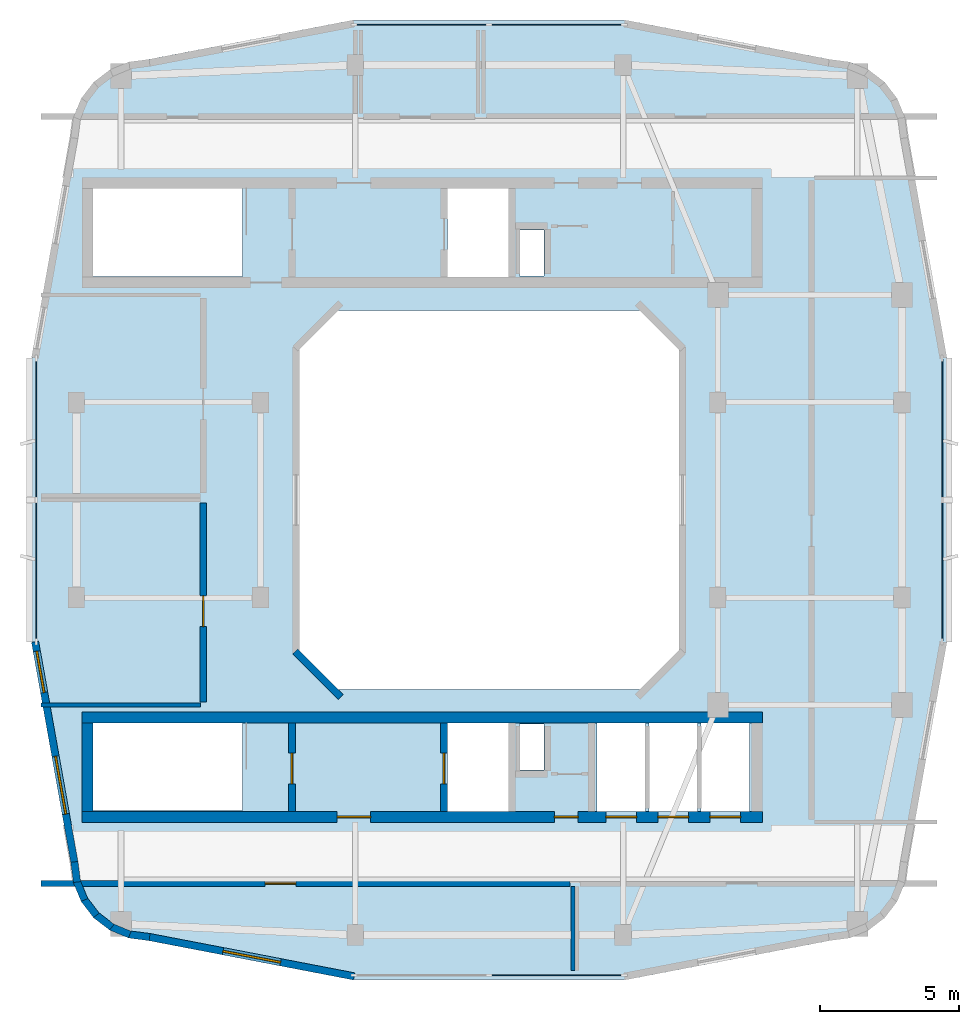
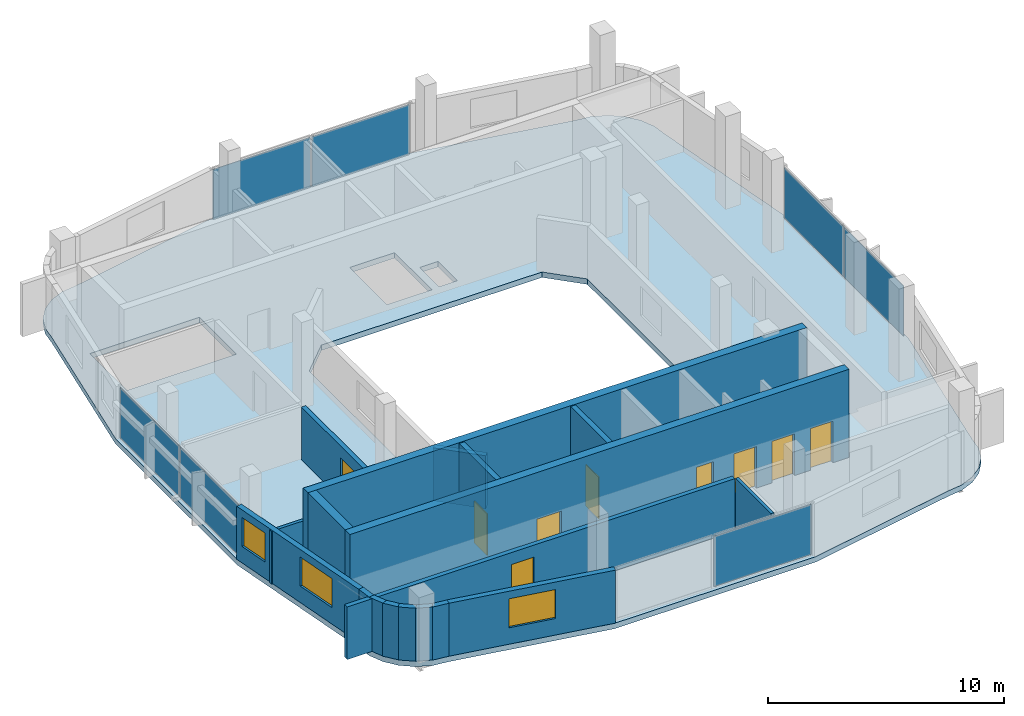
# One storey, part 3 of 6: 18 walls, 9 doors, 7 plates, 3 windows, 1 slab, 12 openings, 4 elements without a shape of their own.
"""IFC4 building model written with IfcOpenShell, lengths in metres."""

from ifc_helpers import new_model, si_unit, derived_unit, direction, frame, frame_2d, origin, origin_2d, place, context, subcontext, project, spatial, polyline, rectangle, outline, extrude, material, layer, layer_set, type_object, element, fill, aggregate, save


model = new_model("IFC4")

# Units and contexts
model_context = context("Model", 3, precision=1e-05, world=origin(), true_north=direction((0.0, 1.0)))
body_context = subcontext(model_context, "Body", "Model", "MODEL_VIEW")
ifc_project = project(units=[si_unit("LENGTHUNIT", "METRE"), si_unit("AREAUNIT", "SQUARE_METRE"), si_unit("VOLUMEUNIT", "CUBIC_METRE"), si_unit("PLANEANGLEUNIT", "RADIAN"), si_unit("MASSUNIT", "GRAM", prefix="KILO"), derived_unit("THERMALTRANSMITTANCEUNIT", [(si_unit("POWERUNIT", "WATT"), 1), (si_unit("LENGTHUNIT", "METRE"), -2), (si_unit("THERMODYNAMICTEMPERATUREUNIT", "KELVIN"), -1)])], contexts=[model_context])

# Site, building, storey
site_placement = place(None, origin())
site = spatial("IfcSite", under=ifc_project, at=site_placement, CompositionType="ELEMENT")
building_placement = place(site_placement, origin())
building = spatial("IfcBuilding", under=site, at=building_placement, Name="Kivonza Crest Hotel", CompositionType="ELEMENT")
storey_placement = place(building_placement, frame((0.0, 0.0, 272.0)))
storey = spatial("IfcBuildingStorey", under=building, at=storey_placement, Name="L74", CompositionType="ELEMENT", Elevation=272.0)

# Curtain wall, plate
ifc_material_1 = material(Name="Anodised bronze aluminium and low-E double glazing", Category="aluminium")
ifc_layer_1 = layer(ifc_material_1, 0.199951171875)
ifc_layer_set_1 = layer_set([ifc_layer_1], Name="Anodised bronze aluminium and low-E double glazing")
curtain_wall_type = type_object("IfcCurtainWallType", Name="CW-SYS-6", PredefinedType="NOTDEFINED", material=ifc_layer_set_1)
curtain_wall_1_placement = place(storey_placement, origin())
curtain_wall_1 = element("IfcCurtainWall", 1, at=curtain_wall_1_placement, inside=storey, type_object=curtain_wall_type, Name="L74 unitised curtain wall CW-T1-L74-08", PredefinedType="NOTDEFINED")
ifc_material_2 = material(Name="Acoustic triple-laminated low-E glazing", Category="glass")
ifc_layer_2 = layer(ifc_material_2, 0.035888671875)
ifc_layer_set_2 = layer_set([ifc_layer_2], Name="Acoustic triple-laminated low-E glazing")
plate_type = type_object("IfcPlateType", Name="CW-PNL-36", PredefinedType="CURTAIN_PANEL", material=ifc_layer_set_2)
plate_1_placement = place(storey_placement, frame((23.421142578125, 7.9599609375, 0.0751953125), z_axis=(0.0, 0.0, 1.0), x_axis=(1.0, 0.0, 0.0)))
plate_1 = element("IfcPlate", 2, at=plate_1_placement, type_object=plate_type, Name="CW-6 panel 2.1", PredefinedType="CURTAIN_PANEL", context=body_context, shape_type="SweptSolid", body=[
    extrude(rectangle(XDim=4.767578125, YDim=0.035888671875, at=origin_2d()), origin(), (0.0, 0.0, 1.0), 2.590087890625),
])
aggregate(curtain_wall_1, [plate_1])

# Curtain wall, plates
curtain_wall_2_placement = place(storey_placement, origin())
curtain_wall_2 = element("IfcCurtainWall", 3, at=curtain_wall_2_placement, inside=storey, type_object=curtain_wall_type, Name="L74 unitised curtain wall CW-T1-L74-17", PredefinedType="NOTDEFINED")
plate_2_placement = place(storey_placement, frame((37.239990234375, 22.458740234375, 0.0751953125), z_axis=(0.0, 0.0, 1.0), x_axis=(0.0, 1.0, 0.0)))
plate_2 = element("IfcPlate", 4, at=plate_2_placement, type_object=plate_type, Name="CW-6 panel 1.1", PredefinedType="CURTAIN_PANEL", context=body_context, shape_type="SweptSolid", body=[
    extrude(rectangle(XDim=5.007568359375, YDim=0.035888671875, at=origin_2d()), origin(), (0.0, 0.0, 1.0), 2.590087890625),
])
plate_3_placement = place(storey_placement, frame((37.239990234375, 27.541259765625, 0.0751953125), z_axis=(0.0, 0.0, 1.0), x_axis=(0.0, 1.0, 0.0)))
plate_3 = element("IfcPlate", 5, at=plate_3_placement, type_object=plate_type, Name="CW-6 panel 2.1", PredefinedType="CURTAIN_PANEL", context=body_context, shape_type="SweptSolid", body=[
    extrude(rectangle(XDim=5.007568359375, YDim=0.035888671875, at=origin_2d()), origin(), (0.0, 0.0, 1.0), 2.590087890625),
])
aggregate(curtain_wall_2, [plate_2, plate_3])

curtain_wall_3_placement = place(storey_placement, origin())
curtain_wall_3 = element("IfcCurtainWall", 6, at=curtain_wall_3_placement, inside=storey, type_object=curtain_wall_type, Name="L74 unitised curtain wall CW-T1-L74-26", PredefinedType="NOTDEFINED")
plate_4_placement = place(storey_placement, frame((23.421142578125, 42.0400390625, 0.0751953125), z_axis=(0.0, 0.0, 1.0), x_axis=(-1.0, 0.0, 0.0)))
plate_4 = element("IfcPlate", 7, at=plate_4_placement, type_object=plate_type, Name="CW-6 panel 1.1", PredefinedType="CURTAIN_PANEL", context=body_context, shape_type="SweptSolid", body=[
    extrude(rectangle(XDim=4.767578125, YDim=0.035888671875, at=origin_2d()), origin(), (0.0, 0.0, 1.0), 2.590087890625),
])
plate_5_placement = place(storey_placement, frame((18.578857421875, 42.0400390625, 0.0751953125), z_axis=(0.0, 0.0, 1.0), x_axis=(-1.0, 0.0, 0.0)))
plate_5 = element("IfcPlate", 8, at=plate_5_placement, type_object=plate_type, Name="CW-6 panel 2.1", PredefinedType="CURTAIN_PANEL", context=body_context, shape_type="SweptSolid", body=[
    extrude(rectangle(XDim=4.767578125, YDim=0.035888671875, at=origin_2d()), origin(), (0.0, 0.0, 1.0), 2.590087890625),
])
aggregate(curtain_wall_3, [plate_4, plate_5])

curtain_wall_4_placement = place(storey_placement, origin())
curtain_wall_4 = element("IfcCurtainWall", 9, at=curtain_wall_4_placement, inside=storey, type_object=curtain_wall_type, Name="L74 unitised curtain wall CW-T1-L74-35", PredefinedType="NOTDEFINED")
plate_6_placement = place(storey_placement, frame((4.760009765625, 27.541259765625, 0.0751953125), z_axis=(0.0, 0.0, 1.0), x_axis=(0.0, -1.0, 0.0)))
plate_6 = element("IfcPlate", 10, at=plate_6_placement, type_object=plate_type, Name="CW-6 panel 1.1", PredefinedType="CURTAIN_PANEL", context=body_context, shape_type="SweptSolid", body=[
    extrude(rectangle(XDim=5.007568359375, YDim=0.035888671875, at=origin_2d()), origin(), (0.0, 0.0, 1.0), 2.590087890625),
])
plate_7_placement = place(storey_placement, frame((4.760009765625, 22.458740234375, 0.0751953125), z_axis=(0.0, 0.0, 1.0), x_axis=(0.0, -1.0, 0.0)))
plate_7 = element("IfcPlate", 11, at=plate_7_placement, type_object=plate_type, Name="CW-6 panel 2.1", PredefinedType="CURTAIN_PANEL", context=body_context, shape_type="SweptSolid", body=[
    extrude(rectangle(XDim=5.007568359375, YDim=0.035888671875, at=origin_2d()), origin(), (0.0, 0.0, 1.0), 2.590087890625),
])
aggregate(curtain_wall_4, [plate_6, plate_7])

# Slab
ifc_material_3 = material(Name="Concrete C40/50", Category="concrete")
ifc_layer_3 = layer(ifc_material_3, 0.280029296875)
ifc_layer_set_3 = layer_set([ifc_layer_3], Name="Concrete C40/50")
slab_type = type_object("IfcSlabType", Name="SL-HTL-280", PredefinedType="FLOOR", material=ifc_layer_set_3)
slab_placement = place(storey_placement, frame((0.0, 0.0, -0.280029296875)))
element("IfcSlab", 12, at=slab_placement, inside=storey, type_object=slab_type, Name="Tower T1 L74 floor slab", PredefinedType="FLOOR", context=body_context, shape_type="SweptSolid", body=[
    extrude(outline(polyline([(6.0, 12.0), (6.094970703125, 11.27490234375), (6.375, 10.60009765625), (6.820068359375, 10.02001953125), (7.39990234375, 9.574951171875), (8.074951171875, 9.294921875), (8.800048828125, 9.199951171875), (16.080078125, 7.800048828125), (25.919921875, 7.800048828125), (33.199951171875, 9.199951171875), (33.925048828125, 9.294921875), (34.60009765625, 9.574951171875), (35.179931640625, 10.02001953125), (35.625, 10.60009765625), (35.905029296875, 11.27490234375), (36.0, 12.0), (37.39990234375, 19.840087890625), (37.39990234375, 30.159912109375), (36.0, 38.0), (35.905029296875, 38.72509765625), (35.625, 39.39990234375), (35.179931640625, 39.97998046875), (34.60009765625, 40.425048828125), (33.925048828125, 40.705078125), (33.199951171875, 40.800048828125), (25.919921875, 42.199951171875), (16.080078125, 42.199951171875), (8.800048828125, 40.800048828125), (8.074951171875, 40.705078125), (7.39990234375, 40.425048828125), (6.820068359375, 39.97998046875), (6.375, 39.39990234375), (6.094970703125, 38.72509765625), (6.0, 38.0), (4.60009765625, 30.159912109375), (4.60009765625, 19.840087890625), (6.0, 12.0)]), holes=[polyline([(15.60009765625, 18.199951171875), (26.39990234375, 18.199951171875), (27.800048828125, 19.60009765625), (27.800048828125, 30.39990234375), (26.39990234375, 31.800048828125), (15.60009765625, 31.800048828125), (14.199951171875, 30.39990234375), (14.199951171875, 19.60009765625), (15.60009765625, 18.199951171875)]), polyline([(6.800048828125, 33.02001953125), (12.159912109375, 33.02001953125), (12.159912109375, 36.159912109375), (6.800048828125, 36.159912109375), (6.800048828125, 33.02001953125)]), polyline([(6.800048828125, 13.860107421875), (12.159912109375, 13.860107421875), (12.159912109375, 17.0), (6.800048828125, 17.0), (6.800048828125, 13.860107421875)]), polyline([(22.080078125, 33.0400390625), (22.969970703125, 33.0400390625), (22.969970703125, 34.679931640625), (22.080078125, 34.679931640625), (22.080078125, 33.0400390625)]), polyline([(22.080078125, 15.320068359375), (22.969970703125, 15.320068359375), (22.969970703125, 16.9599609375), (22.080078125, 16.9599609375), (22.080078125, 15.320068359375)]), polyline([(19.5, 33.0), (21.699951171875, 33.0), (21.699951171875, 36.159912109375), (19.5, 36.159912109375), (19.5, 33.0)]), polyline([(19.5, 13.840087890625), (21.699951171875, 13.840087890625), (21.699951171875, 17.0), (19.5, 17.0), (19.5, 13.840087890625)]), polyline([(24.860107421875, 13.840087890625), (26.60693359375, 13.840087890625), (26.60693359375, 17.0), (24.860107421875, 17.0), (24.860107421875, 13.840087890625)]), polyline([(26.72705078125, 13.840087890625), (28.472900390625, 13.840087890625), (28.472900390625, 17.0), (26.72705078125, 17.0), (26.72705078125, 13.840087890625)]), polyline([(28.593017578125, 13.840087890625), (30.340087890625, 13.840087890625), (30.340087890625, 17.0), (28.593017578125, 17.0), (28.593017578125, 13.840087890625)])]), origin(), (0.0, 0.0, 1.0), 0.280029296875),
])

# Wall, opening, door
ifc_material_4 = material(Name="Autoclaved aerated concrete blockwork", Category="masonry")
ifc_layer_4 = layer(ifc_material_4, 0.219970703125)
ifc_layer_set_4 = layer_set([ifc_layer_4], Name="Autoclaved aerated concrete blockwork")
wall_type_1 = type_object("IfcWallType", Name="WL-ACOU-220", PredefinedType="SOLIDWALL", material=ifc_layer_set_4)
wall_1_placement = place(storey_placement, frame((10.75, 17.75, 0.0), z_axis=(0.0, 0.0, 1.0), x_axis=(0.0, 1.0, 0.0)))
wall_1 = element("IfcWall", 13, at=wall_1_placement, inside=storey, type_object=wall_type_1, Name="L74 interior partition WA-L74-CRESTBRD-E", PredefinedType="SOLIDWALL", context=body_context, shape_type="SweptSolid", body=[
    extrude(rectangle(XDim=7.14990234375, YDim=0.219970703125, at=frame_2d((3.574951171875, 0.0))), origin(), (0.0, 0.0, 1.0), 2.719970703125),
])
opening_1_placement = place(wall_1_placement, frame((2.712890625, 0.0, 0.0)))
opening_1 = element("IfcOpeningElement", 14, at=opening_1_placement, cuts=wall_1, Name="Opening DF-60M", PredefinedType="OPENING", context=body_context, shape_type="SweptSolid", body=[
    extrude(rectangle(XDim=1.10009765625, YDim=2.10009765625, at=frame_2d((0.550048828125, 1.050048828125))), frame((0.0, 0.1201171875, 0.0), z_axis=(0.0, -1.0, 0.0), x_axis=(1.0, 0.0, 0.0)), (0.0, 0.0, 1.0), 0.239990234375),
])
ifc_material_5 = material(Name="Hardwood timber oak", Category="wood")
door_type_1 = type_object("IfcDoorType", Name="DR-FD60-1100", OperationType="NOTDEFINED", PredefinedType="DOOR", material=ifc_material_5)
door_1_placement = place(opening_1_placement, origin())
door_1 = element("IfcDoor", 15, at=door_1_placement, inside=storey, type_object=door_type_1, Name="L74 Presidential Crest Boardroom door", OperationType="SINGLE_SWING_RIGHT", OverallHeight=2.10009765625, OverallWidth=1.10009765625, PredefinedType="DOOR", context=body_context, shape_type="SweptSolid", body=[
    extrude(rectangle(XDim=1.10009765625, YDim=2.10009765625, at=frame_2d((0.550048828125, 1.050048828125))), frame((0.0, 0.02490234375, 0.0), z_axis=(0.0, -1.0, 0.0), x_axis=(1.0, 0.0, 0.0)), (0.0, 0.0, 1.0), 0.050048828125),
])
fill(opening_1, door_1)

wall_2_placement = place(storey_placement, frame((4.93994140625, 11.25, 0.0), z_axis=(0.0, 0.0, 1.0), x_axis=(1.0, 0.0, 0.0)))
wall_2 = element("IfcWall", 16, at=wall_2_placement, inside=storey, type_object=wall_type_1, Name="L74 interior partition WA-L74-CRSUI-N", PredefinedType="SOLIDWALL", context=body_context, shape_type="SweptSolid", body=[
    extrude(rectangle(XDim=18.9599609375, YDim=0.219970703125, at=frame_2d((9.47998046875, 0.0))), origin(), (0.0, 0.0, 1.0), 2.719970703125),
])
opening_2_placement = place(wall_2_placement, frame((8.027099609375, 0.0, 0.0)))
opening_2 = element("IfcOpeningElement", 17, at=opening_2_placement, cuts=wall_2, Name="Opening DF-60M", PredefinedType="OPENING", context=body_context, shape_type="SweptSolid", body=[
    extrude(rectangle(XDim=1.10009765625, YDim=2.10009765625, at=frame_2d((0.550048828125, 1.050048828125))), frame((0.0, 0.1201171875, 0.0), z_axis=(0.0, -1.0, 0.0), x_axis=(1.0, 0.0, 0.0)), (0.0, 0.0, 1.0), 0.239990234375),
])
door_2_placement = place(opening_2_placement, frame((1.10009765625, 0.0, 0.0), z_axis=(0.0, 0.0, 1.0), x_axis=(-1.0, 0.0, 0.0)))
door_2 = element("IfcDoor", 18, at=door_2_placement, inside=storey, type_object=door_type_1, Name="L74 South Crest VIP Dining Suite door", OperationType="SINGLE_SWING_RIGHT", OverallHeight=2.10009765625, OverallWidth=1.10009765625, PredefinedType="DOOR", context=body_context, shape_type="SweptSolid", body=[
    extrude(rectangle(XDim=1.10009765625, YDim=2.10009765625, at=frame_2d((0.550048828125, 1.050048828125))), frame((0.0, 0.02490234375, 0.0), z_axis=(0.0, -1.0, 0.0), x_axis=(1.0, 0.0, 0.0)), (0.0, 0.0, 1.0), 0.050048828125),
])
fill(opening_2, door_2)

# Wall, openings, doors
ifc_material_6 = material(Name="Concrete C50/60", Category="concrete")
ifc_layer_5 = layer(ifc_material_6, 0.39990234375)
ifc_layer_set_5 = layer_set([ifc_layer_5], Name="Concrete C50/60")
wall_type_2 = type_object("IfcWallType", Name="WL-CORE-400", PredefinedType="SHEAR", material=ifc_layer_set_5)
wall_3_placement = place(storey_placement, frame((6.39990234375, 13.639892578125, 0.0), z_axis=(0.0, 0.0, 1.0), x_axis=(1.0, 0.0, 0.0)))
wall_3 = element("IfcWall", 19, at=wall_3_placement, inside=storey, type_object=wall_type_2, Name="Core wall T1-S South L74", PredefinedType="SHEAR", context=body_context, shape_type="SweptSolid", body=[
    extrude(rectangle(XDim=24.400146484375, YDim=0.39990234375, at=frame_2d((12.2001953125, 0.0))), origin(), (0.0, 0.0, 1.0), 4.56005859375),
])
opening_3_placement = place(wall_3_placement, frame((9.14990234375, 0.0, 0.0)))
opening_3 = element("IfcOpeningElement", 20, at=opening_3_placement, cuts=wall_3, Name="Opening DF-60", PredefinedType="OPENING", context=body_context, shape_type="SweptSolid", body=[
    extrude(rectangle(XDim=1.199951171875, YDim=2.14990234375, at=frame_2d((0.60009765625, 1.074951171875))), frame((0.0, 0.2099609375, 0.0), z_axis=(0.0, -1.0, 0.0), x_axis=(1.0, 0.0, 0.0)), (0.0, 0.0, 1.0), 0.419921875),
])
opening_4_placement = place(wall_3_placement, frame((16.93994140625, 0.0, 0.0)))
opening_4 = element("IfcOpeningElement", 21, at=opening_4_placement, cuts=wall_3, Name="Opening DF-60R", PredefinedType="OPENING", context=body_context, shape_type="SweptSolid", body=[
    extrude(rectangle(XDim=0.85009765625, YDim=2.10009765625, at=frame_2d((0.425048828125, 1.050048828125))), frame((0.0, 0.2099609375, 0.0), z_axis=(0.0, -1.0, 0.0), x_axis=(1.0, 0.0, 0.0)), (0.0, 0.0, 1.0), 0.419921875),
])
opening_5_placement = place(wall_3_placement, frame((18.782958984375, 0.0, 0.0)))
opening_5 = element("IfcOpeningElement", 22, at=opening_5_placement, cuts=wall_3, Name="Opening LD-120", PredefinedType="OPENING", context=body_context, shape_type="SweptSolid", body=[
    extrude(rectangle(XDim=1.10009765625, YDim=2.14990234375, at=frame_2d((0.550048828125, 1.074951171875))), frame((0.0, 0.2099609375, 0.0), z_axis=(0.0, -1.0, 0.0), x_axis=(1.0, 0.0, 0.0)), (0.0, 0.0, 1.0), 0.419921875),
])
opening_6_placement = place(wall_3_placement, frame((20.64990234375, 0.0, 0.0)))
opening_6 = element("IfcOpeningElement", 23, at=opening_6_placement, cuts=wall_3, Name="Opening LD-120", PredefinedType="OPENING", context=body_context, shape_type="SweptSolid", body=[
    extrude(rectangle(XDim=1.10009765625, YDim=2.14990234375, at=frame_2d((0.550048828125, 1.074951171875))), frame((0.0, 0.2099609375, 0.0), z_axis=(0.0, -1.0, 0.0), x_axis=(1.0, 0.0, 0.0)), (0.0, 0.0, 1.0), 0.419921875),
])
opening_7_placement = place(wall_3_placement, frame((22.51708984375, 0.0, 0.0)))
opening_7 = element("IfcOpeningElement", 24, at=opening_7_placement, cuts=wall_3, Name="Opening LD-120", PredefinedType="OPENING", context=body_context, shape_type="SweptSolid", body=[
    extrude(rectangle(XDim=1.10009765625, YDim=2.14990234375, at=frame_2d((0.550048828125, 1.074951171875))), frame((0.0, 0.2099609375, 0.0), z_axis=(0.0, -1.0, 0.0), x_axis=(1.0, 0.0, 0.0)), (0.0, 0.0, 1.0), 0.419921875),
])
door_type_2 = type_object("IfcDoorType", Name="DR-FD60-1200", OperationType="NOTDEFINED", PredefinedType="DOOR", material=ifc_material_5)
door_3_placement = place(opening_3_placement, frame((1.199951171875, 0.0, 0.0), z_axis=(0.0, 0.0, 1.0), x_axis=(-1.0, 0.0, 0.0)))
door_3 = element("IfcDoor", 25, at=door_3_placement, inside=storey, type_object=door_type_2, Name="L74 T1-S firefighting lobby fire door", OperationType="SINGLE_SWING_LEFT", OverallHeight=2.14990234375, OverallWidth=1.199951171875, PredefinedType="DOOR", context=body_context, shape_type="SweptSolid", body=[
    extrude(rectangle(XDim=1.199951171875, YDim=2.14990234375, at=frame_2d((0.60009765625, 1.074951171875))), frame((0.0, 0.02490234375, 0.0), z_axis=(0.0, -1.0, 0.0), x_axis=(1.0, 0.0, 0.0)), (0.0, 0.0, 1.0), 0.050048828125),
])
fill(opening_3, door_3)
door_type_3 = type_object("IfcDoorType", Name="DR-FD60-850", OperationType="NOTDEFINED", PredefinedType="DOOR", material=ifc_material_5)
door_4_placement = place(opening_4_placement, frame((0.85009765625, 0.0, 0.0), z_axis=(0.0, 0.0, 1.0), x_axis=(-1.0, 0.0, 0.0)))
door_4 = element("IfcDoor", 26, at=door_4_placement, inside=storey, type_object=door_type_3, Name="L74 T1-S core room door", OperationType="SINGLE_SWING_RIGHT", OverallHeight=2.10009765625, OverallWidth=0.85009765625, PredefinedType="DOOR", context=body_context, shape_type="SweptSolid", body=[
    extrude(rectangle(XDim=0.85009765625, YDim=2.10009765625, at=frame_2d((0.425048828125, 1.050048828125))), frame((0.0, 0.02490234375, 0.0), z_axis=(0.0, -1.0, 0.0), x_axis=(1.0, 0.0, 0.0)), (0.0, 0.0, 1.0), 0.050048828125),
])
fill(opening_4, door_4)
ifc_material_7 = material(Name="Stainless steel", Category="steel")
door_type_4 = type_object("IfcDoorType", Name="DR-LD120-1100", OperationType="NOTDEFINED", PredefinedType="DOOR", material=ifc_material_7)
door_5_placement = place(opening_5_placement, frame((1.10009765625, 0.0, 0.0), z_axis=(0.0, 0.0, 1.0), x_axis=(-1.0, 0.0, 0.0)))
door_5 = element("IfcDoor", 27, at=door_5_placement, inside=storey, type_object=door_type_4, Name="L74 PL-T1-H1 passenger lift sliding landing door", OperationType="DOUBLE_DOOR_SLIDING", OverallHeight=2.14990234375, OverallWidth=1.10009765625, PredefinedType="DOOR", context=body_context, shape_type="SweptSolid", body=[
    extrude(rectangle(XDim=1.10009765625, YDim=2.14990234375, at=frame_2d((0.550048828125, 1.074951171875))), frame((0.0, 0.02490234375, 0.0), z_axis=(0.0, -1.0, 0.0), x_axis=(1.0, 0.0, 0.0)), (0.0, 0.0, 1.0), 0.050048828125),
])
fill(opening_5, door_5)
door_6_placement = place(opening_6_placement, frame((1.10009765625, 0.0, 0.0), z_axis=(0.0, 0.0, 1.0), x_axis=(-1.0, 0.0, 0.0)))
door_6 = element("IfcDoor", 28, at=door_6_placement, inside=storey, type_object=door_type_4, Name="L74 PL-T1-H2 passenger lift sliding landing door", OperationType="DOUBLE_DOOR_SLIDING", OverallHeight=2.14990234375, OverallWidth=1.10009765625, PredefinedType="DOOR", context=body_context, shape_type="SweptSolid", body=[
    extrude(rectangle(XDim=1.10009765625, YDim=2.14990234375, at=frame_2d((0.550048828125, 1.074951171875))), frame((0.0, 0.02490234375, 0.0), z_axis=(0.0, -1.0, 0.0), x_axis=(1.0, 0.0, 0.0)), (0.0, 0.0, 1.0), 0.050048828125),
])
fill(opening_6, door_6)
door_7_placement = place(opening_7_placement, frame((1.10009765625, 0.0, 0.0), z_axis=(0.0, 0.0, 1.0), x_axis=(-1.0, 0.0, 0.0)))
door_7 = element("IfcDoor", 29, at=door_7_placement, inside=storey, type_object=door_type_4, Name="L74 PL-T1-H3 passenger lift sliding landing door", OperationType="DOUBLE_DOOR_SLIDING", OverallHeight=2.14990234375, OverallWidth=1.10009765625, PredefinedType="DOOR", context=body_context, shape_type="SweptSolid", body=[
    extrude(rectangle(XDim=1.10009765625, YDim=2.14990234375, at=frame_2d((0.550048828125, 1.074951171875))), frame((0.0, 0.02490234375, 0.0), z_axis=(0.0, -1.0, 0.0), x_axis=(1.0, 0.0, 0.0)), (0.0, 0.0, 1.0), 0.050048828125),
])
fill(opening_7, door_7)

# Walls
wall_4_placement = place(storey_placement, frame((6.39990234375, 17.199951171875, 0.0), z_axis=(0.0, 0.0, 1.0), x_axis=(1.0, 0.0, 0.0)))
element("IfcWall", 30, at=wall_4_placement, inside=storey, type_object=wall_type_2, Name="Core wall T1-S North L74", PredefinedType="SHEAR", context=body_context, shape_type="SweptSolid", body=[
    extrude(rectangle(XDim=24.400146484375, YDim=0.39990234375, at=frame_2d((12.2001953125, 0.0))), origin(), (0.0, 0.0, 1.0), 4.56005859375),
])
wall_5_placement = place(storey_placement, frame((6.60009765625, 13.840087890625, 0.0), z_axis=(0.0, 0.0, 1.0), x_axis=(0.0, 1.0, 0.0)))
element("IfcWall", 31, at=wall_5_placement, inside=storey, type_object=wall_type_2, Name="Core wall T1-S West L74", PredefinedType="SHEAR", context=body_context, shape_type="SweptSolid", body=[
    extrude(rectangle(XDim=3.159912109375, YDim=0.39990234375, at=frame_2d((1.580078125, 0.0))), origin(), (0.0, 0.0, 1.0), 4.56005859375),
])
ifc_material_8 = material(Name="Precast concrete C40/50", Category="concrete")
ifc_layer_6 = layer(ifc_material_8, 0.260009765625)
ifc_layer_set_6 = layer_set([ifc_layer_6], Name="Precast concrete C40/50")
wall_type_3 = type_object("IfcWallType", Name="WL-EXT-260", PredefinedType="STANDARD", material=ifc_layer_set_6)
wall_6_placement = place(storey_placement, frame((6.1279296875, 12.02490234375, 0.0), z_axis=(0.0, 0.0, 1.0), x_axis=(0.130255288807, -0.991480488834, 0.0)))
element("IfcWall", 32, at=wall_6_placement, inside=storey, type_object=wall_type_3, Name="L74 T1 exterior insulated wall 1", PredefinedType="STANDARD", context=body_context, shape_type="SweptSolid", body=[
    extrude(rectangle(XDim=0.72900390625, YDim=0.260009765625, at=frame_2d((0.364501953125, 0.0))), origin(), (0.0, 0.0, 1.0), 2.739990234375),
])
wall_7_placement = place(storey_placement, frame((6.205078125, 11.347900390625, 0.0), z_axis=(0.0, 0.0, 1.0), x_axis=(0.383267045233, -0.923637576129, 0.0)))
element("IfcWall", 33, at=wall_7_placement, inside=storey, type_object=wall_type_3, Name="L74 T1 exterior insulated wall 2", PredefinedType="STANDARD", context=body_context, shape_type="SweptSolid", body=[
    extrude(rectangle(XDim=0.745849609375, YDim=0.260009765625, at=frame_2d((0.373046875, 0.0))), origin(), (0.0, 0.0, 1.0), 2.739990234375),
])
for number, where, z_axis, x_axis, name in (
    (34, (6.462890625, 10.698974609375, 0.0), (0.0, 0.0, 1.0), (0.608603261071, -0.793474681772, 0.0), "L74 T1 exterior insulated wall 3"),
    (35, (6.87890625, 10.137939453125, 0.0), (0.0, 0.0, 1.0), (0.79363269798, -0.608397189915, 0.0), "L74 T1 exterior insulated wall 4"),
    (36, (7.427001953125, 9.705078125, 0.0), (0.0, 0.0, 1.0), (0.923521684703, -0.383546213491, 0.0), "L74 T1 exterior insulated wall 5"),
):
    element("IfcWall", number, at=place(storey_placement, frame(where, z_axis=z_axis, x_axis=x_axis)), inside=storey, type_object=wall_type_3, Name=name, PredefinedType="STANDARD", context=body_context, shape_type="SweptSolid", body=[
        extrude(rectangle(XDim=0.74609375, YDim=0.260009765625, at=frame_2d((0.373046875, 0.0))), origin(), (0.0, 0.0, 1.0), 2.739990234375),
    ])
wall_8_placement = place(storey_placement, frame((8.06689453125, 9.427001953125, 0.0), z_axis=(0.0, 0.0, 1.0), x_axis=(0.991559404866, -0.129653178221, 0.0)))
element("IfcWall", 37, at=wall_8_placement, inside=storey, type_object=wall_type_3, Name="L74 T1 exterior insulated wall 6", PredefinedType="STANDARD", context=body_context, shape_type="SweptSolid", body=[
    extrude(rectangle(XDim=0.764404296875, YDim=0.260009765625, at=frame_2d((0.38232421875, 0.0))), origin(), (0.0, 0.0, 1.0), 2.739990234375),
])

# Wall, opening, window
wall_9_placement = place(storey_placement, frame((8.81689453125, 9.330078125, 0.0), z_axis=(0.0, 0.0, 1.0), x_axis=(0.982002021426, -0.188870405079, 0.0)))
wall_9 = element("IfcWall", 38, at=wall_9_placement, inside=storey, type_object=wall_type_3, Name="L74 T1 exterior insulated wall 7", PredefinedType="STANDARD", context=body_context, shape_type="SweptSolid", body=[
    extrude(rectangle(XDim=7.4765625, YDim=0.260009765625, at=frame_2d((3.73828125, 0.0))), origin(), (0.0, 0.0, 1.0), 2.739990234375),
])
opening_8_placement = place(wall_9_placement, frame((2.68798828125, 0.0, 0.85009765625)))
opening_8 = element("IfcOpeningElement", 39, at=opening_8_placement, cuts=wall_9, Name="Opening WN-04", PredefinedType="OPENING", context=body_context, shape_type="SweptSolid", body=[
    extrude(rectangle(XDim=2.10009765625, YDim=1.5, at=frame_2d((1.050048828125, 0.75))), frame((0.0, 0.14013671875, 0.0), z_axis=(0.0, -1.0, 0.0), x_axis=(1.0, 0.0, 0.0)), (0.0, 0.0, 1.0), 0.280029296875),
])
ifc_material_9 = material(Name="Thermally broken bronze aluminium and low-E double glazing", Category="aluminium")
window_type_1 = type_object("IfcWindowType", Name="WN-210x150", PartitioningType="DOUBLE_PANEL_VERTICAL", PredefinedType="WINDOW", material=ifc_material_9)
window_1_placement = place(opening_8_placement, origin())
window_1 = element("IfcWindow", 40, at=window_1_placement, inside=storey, type_object=window_type_1, Name="L74 T1 facade window 7", OverallHeight=1.5, OverallWidth=2.10009765625, PartitioningType="SINGLE_PANEL", PredefinedType="WINDOW", context=body_context, shape_type="SweptSolid", body=[
    extrude(rectangle(XDim=2.10009765625, YDim=1.5, at=frame_2d((1.050048828125, 0.75))), frame((0.0, 0.030029296875, 0.0), z_axis=(0.0, -1.0, 0.0), x_axis=(1.0, 0.0, 0.0)), (0.0, 0.0, 1.0), 0.06005859375),
])
fill(opening_8, window_1)

# Wall, openings, windows
wall_10_placement = place(storey_placement, frame((4.718017578125, 19.9169921875, 0.0), z_axis=(0.0, 0.0, 1.0), x_axis=(0.175766426993, -0.984431898682, 0.0)))
wall_10 = element("IfcWall", 41, at=wall_10_placement, inside=storey, type_object=wall_type_3, Name="L74 T1 exterior insulated wall 36", PredefinedType="STANDARD", context=body_context, shape_type="SweptSolid", body=[
    extrude(rectangle(XDim=8.027099609375, YDim=0.260009765625, at=frame_2d((4.013671875, 0.0))), origin(), (0.0, 0.0, 1.0), 2.739990234375),
])
opening_9_placement = place(wall_10_placement, frame((0.346923828125, 0.0, 0.85009765625)))
opening_9 = element("IfcOpeningElement", 42, at=opening_9_placement, cuts=wall_10, Name="Opening WN-02", PredefinedType="OPENING", context=body_context, shape_type="SweptSolid", body=[
    extrude(rectangle(XDim=1.5, YDim=1.5, at=frame_2d((0.75, 0.75))), frame((0.0, 0.14013671875, 0.0), z_axis=(0.0, -1.0, 0.0), x_axis=(1.0, 0.0, 0.0)), (0.0, 0.0, 1.0), 0.280029296875),
])
opening_10_placement = place(wall_10_placement, frame((4.173095703125, 0.0, 0.85009765625)))
opening_10 = element("IfcOpeningElement", 43, at=opening_10_placement, cuts=wall_10, Name="Opening WN-04", PredefinedType="OPENING", context=body_context, shape_type="SweptSolid", body=[
    extrude(rectangle(XDim=2.10009765625, YDim=1.5, at=frame_2d((1.050048828125, 0.75))), frame((0.0, 0.14013671875, 0.0), z_axis=(0.0, -1.0, 0.0), x_axis=(1.0, 0.0, 0.0)), (0.0, 0.0, 1.0), 0.280029296875),
])
window_type_2 = type_object("IfcWindowType", Name="WN-150x150", PartitioningType="DOUBLE_PANEL_VERTICAL", PredefinedType="WINDOW", material=ifc_material_9)
window_2_placement = place(opening_9_placement, origin())
window_2 = element("IfcWindow", 44, at=window_2_placement, inside=storey, type_object=window_type_2, Name="L74 T1 facade window 36 bay 1", OverallHeight=1.5, OverallWidth=1.5, PartitioningType="SINGLE_PANEL", PredefinedType="WINDOW", context=body_context, shape_type="SweptSolid", body=[
    extrude(rectangle(XDim=1.5, YDim=1.5, at=frame_2d((0.75, 0.75))), frame((0.0, 0.030029296875, 0.0), z_axis=(0.0, -1.0, 0.0), x_axis=(1.0, 0.0, 0.0)), (0.0, 0.0, 1.0), 0.06005859375),
])
fill(opening_9, window_2)
window_3_placement = place(opening_10_placement, origin())
window_3 = element("IfcWindow", 45, at=window_3_placement, inside=storey, type_object=window_type_1, Name="L74 T1 facade window 36 bay 2", OverallHeight=1.5, OverallWidth=2.10009765625, PartitioningType="SINGLE_PANEL", PredefinedType="WINDOW", context=body_context, shape_type="SweptSolid", body=[
    extrude(rectangle(XDim=2.10009765625, YDim=1.5, at=frame_2d((1.050048828125, 0.75))), frame((0.0, 0.030029296875, 0.0), z_axis=(0.0, -1.0, 0.0), x_axis=(1.0, 0.0, 0.0)), (0.0, 0.0, 1.0), 0.06005859375),
])
fill(opening_10, window_3)

# Walls
wall_11_placement = place(storey_placement, frame((14.0439453125, 19.572021484375, 0.0), z_axis=(0.0, 0.0, 1.0), x_axis=(0.707106781187, -0.707106781187, 0.0)))
element("IfcWall", 46, at=wall_11_placement, inside=storey, type_object=wall_type_3, Name="L74 T1 light-well exterior wall 8", PredefinedType="STANDARD", context=body_context, shape_type="SweptSolid", body=[
    extrude(rectangle(XDim=2.310791015625, YDim=0.260009765625, at=frame_2d((1.1552734375, 0.0))), origin(), (0.0, 0.0, 1.0), 2.739990234375),
])
ifc_material_10 = material(Name="Twin-stud acoustic gypsum board partition", Category="gypsum")
ifc_layer_7 = layer(ifc_material_10, 0.14990234375)
ifc_layer_set_7 = layer_set([ifc_layer_7], Name="Twin-stud acoustic gypsum board partition")
wall_type_4 = type_object("IfcWallType", Name="WL-PART-150", PredefinedType="PARTITIONING", material=ifc_layer_set_7)
wall_12_placement = place(storey_placement, frame((4.93994140625, 17.64990234375, 0.0), z_axis=(0.0, 0.0, 1.0), x_axis=(1.0, 0.0, 0.0)))
element("IfcWall", 47, at=wall_12_placement, inside=storey, type_object=wall_type_4, Name="L74 interior partition WP-L74-CRESTBRD-BS", PredefinedType="PARTITIONING", context=body_context, shape_type="SweptSolid", body=[
    extrude(rectangle(XDim=5.7099609375, YDim=0.14990234375, at=frame_2d((2.85498046875, 0.0))), origin(), (0.0, 0.0, 1.0), 2.719970703125),
])
wall_13_placement = place(storey_placement, frame((24.0, 8.139892578125, 0.0), z_axis=(0.0, 0.0, 1.0), x_axis=(0.0, 1.0, 0.0)))
element("IfcWall", 48, at=wall_13_placement, inside=storey, type_object=wall_type_4, Name="L74 interior partition WP-L74-CRSUI-BE", PredefinedType="PARTITIONING", context=body_context, shape_type="SweptSolid", body=[
    extrude(rectangle(XDim=3.010009765625, YDim=0.14990234375, at=frame_2d((1.5048828125, 0.0))), origin(), (0.0, 0.0, 1.0), 2.719970703125),
])

# Wall, opening, door
ifc_layer_8 = layer(ifc_material_6, 0.25)
ifc_layer_set_8 = layer_set([ifc_layer_8], Name="Concrete C50/60")
wall_type_5 = type_object("IfcWallType", Name="WL-SHAFT-250", PredefinedType="STANDARD", material=ifc_layer_set_8)
wall_14_placement = place(storey_placement, frame((13.925048828125, 13.840087890625, 0.0), z_axis=(0.0, 0.0, 1.0), x_axis=(0.0, 1.0, 0.0)))
wall_14 = element("IfcWall", 49, at=wall_14_placement, inside=storey, type_object=wall_type_5, Name="Core shaft wall T1-S STAIR L74", PredefinedType="STANDARD", context=body_context, shape_type="SweptSolid", body=[
    extrude(rectangle(XDim=3.159912109375, YDim=0.25, at=frame_2d((1.580078125, 0.0))), origin(), (0.0, 0.0, 1.0), 4.52001953125),
])
opening_11_placement = place(wall_14_placement, frame((0.97998046875, 0.0, 0.0)))
opening_11 = element("IfcOpeningElement", 50, at=opening_11_placement, cuts=wall_14, Name="Opening DF-120", PredefinedType="OPENING", context=body_context, shape_type="SweptSolid", body=[
    extrude(rectangle(XDim=1.10009765625, YDim=2.14990234375, at=frame_2d((0.550048828125, 1.074951171875))), frame((0.0, 0.135009765625, 0.0), z_axis=(0.0, -1.0, 0.0), x_axis=(1.0, 0.0, 0.0)), (0.0, 0.0, 1.0), 0.27001953125),
])
ifc_material_11 = material(Name="Galvanised steel", Category="steel")
door_type_5 = type_object("IfcDoorType", Name="DR-FD120-1100", OperationType="NOTDEFINED", PredefinedType="DOOR", material=ifc_material_11)
door_8_placement = place(opening_11_placement, frame((1.10009765625, 0.0, 0.0), z_axis=(0.0, 0.0, 1.0), x_axis=(-1.0, 0.0, 0.0)))
door_8 = element("IfcDoor", 51, at=door_8_placement, inside=storey, type_object=door_type_5, Name="L74 T1-S stair fire door", OperationType="SINGLE_SWING_RIGHT", OverallHeight=2.14990234375, OverallWidth=1.10009765625, PredefinedType="DOOR", context=body_context, shape_type="SweptSolid", body=[
    extrude(rectangle(XDim=1.10009765625, YDim=2.14990234375, at=frame_2d((0.550048828125, 1.074951171875))), frame((0.0, 0.02490234375, 0.0), z_axis=(0.0, -1.0, 0.0), x_axis=(1.0, 0.0, 0.0)), (0.0, 0.0, 1.0), 0.050048828125),
])
fill(opening_11, door_8)

wall_15_placement = place(storey_placement, frame((19.375, 13.840087890625, 0.0), z_axis=(0.0, 0.0, 1.0), x_axis=(0.0, 1.0, 0.0)))
wall_15 = element("IfcWall", 52, at=wall_15_placement, inside=storey, type_object=wall_type_5, Name="Core shaft wall T1-S FFL-W L74", PredefinedType="STANDARD", context=body_context, shape_type="SweptSolid", body=[
    extrude(rectangle(XDim=3.159912109375, YDim=0.25, at=frame_2d((1.580078125, 0.0))), origin(), (0.0, 0.0, 1.0), 4.52001953125),
])
opening_12_placement = place(wall_15_placement, frame((0.97998046875, 0.0, 0.0)))
opening_12 = element("IfcOpeningElement", 53, at=opening_12_placement, cuts=wall_15, Name="Opening LD-120", PredefinedType="OPENING", context=body_context, shape_type="SweptSolid", body=[
    extrude(rectangle(XDim=1.10009765625, YDim=2.14990234375, at=frame_2d((0.550048828125, 1.074951171875))), frame((0.0, 0.135009765625, 0.0), z_axis=(0.0, -1.0, 0.0), x_axis=(1.0, 0.0, 0.0)), (0.0, 0.0, 1.0), 0.27001953125),
])
door_9_placement = place(opening_12_placement, origin())
door_9 = element("IfcDoor", 54, at=door_9_placement, inside=storey, type_object=door_type_4, Name="L74 FFL-T1-S firefighting lift sliding landing door", OperationType="DOUBLE_DOOR_SLIDING", OverallHeight=2.14990234375, OverallWidth=1.10009765625, PredefinedType="DOOR", context=body_context, shape_type="SweptSolid", body=[
    extrude(rectangle(XDim=1.10009765625, YDim=2.14990234375, at=frame_2d((0.550048828125, 1.074951171875))), frame((0.0, 0.02490234375, 0.0), z_axis=(0.0, -1.0, 0.0), x_axis=(1.0, 0.0, 0.0)), (0.0, 0.0, 1.0), 0.050048828125),
])
fill(opening_12, door_9)

save(model, "model.ifc")
